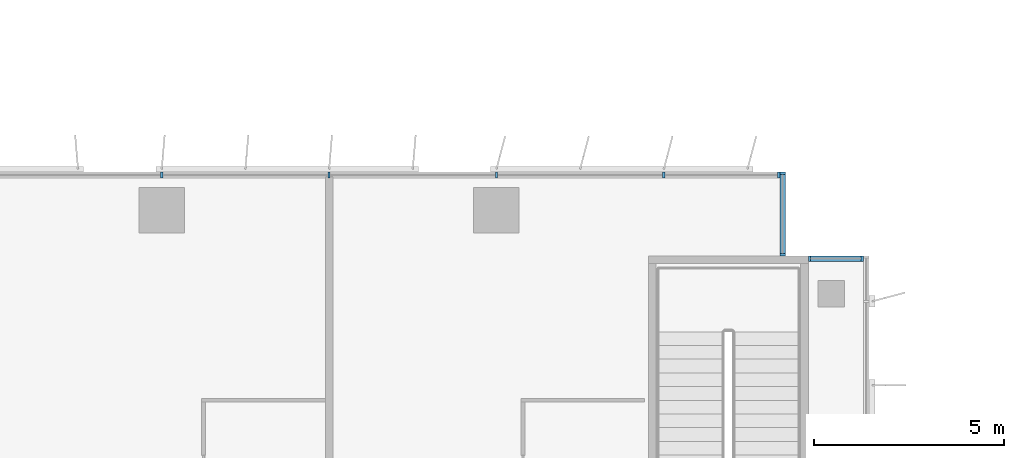
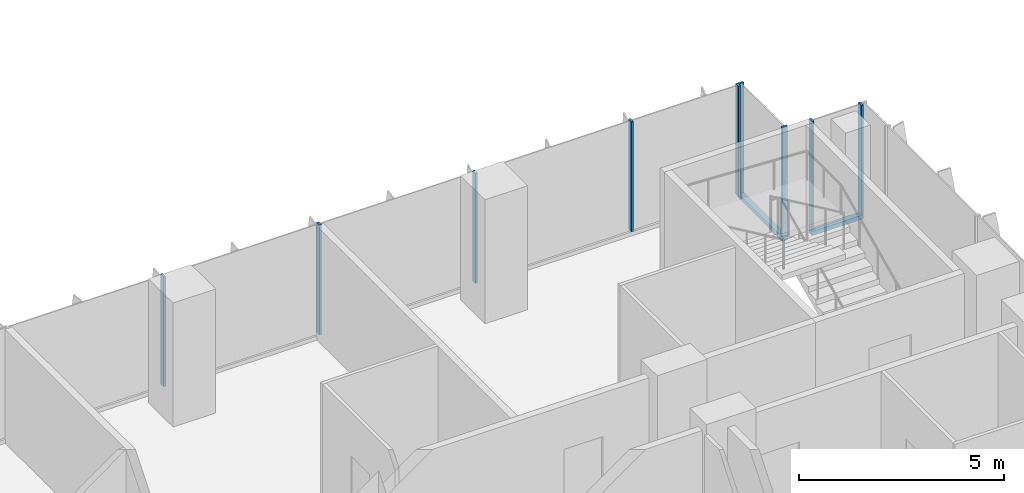
# One storey, part 4 of 22: 11 members, 3 elements without a shape of their own.
"""IFC4 building model written with IfcOpenShell, lengths in metres."""

from ifc_helpers import new_model, si_unit, direction, frame, origin, origin_2d, place, context, subcontext, project, spatial, rectangle, extrude, source, transform, mapped, material, material_profile, profile_set, type_object, element, aggregate, save


model = new_model("IFC4")

# Units and contexts
model_context = context("Model", 3, precision=1e-05, world=origin(), true_north=direction((0.0, 1.0)))
body_context = subcontext(model_context, "Body", "Model", "MODEL_VIEW")
ifc_project = project(units=[si_unit("LENGTHUNIT", "METRE"), si_unit("AREAUNIT", "SQUARE_METRE"), si_unit("VOLUMEUNIT", "CUBIC_METRE"), si_unit("PLANEANGLEUNIT", "RADIAN"), si_unit("MASSUNIT", "GRAM", prefix="KILO")], contexts=[model_context])

# Site, building, storey
site_placement = place(None, origin())
site = spatial("IfcSite", under=ifc_project, at=site_placement, CompositionType="ELEMENT")
building_placement = place(site_placement, origin())
building = spatial("IfcBuilding", under=site, at=building_placement, Name="Kemantara Hotel Tower", CompositionType="ELEMENT")
storey_placement = place(building_placement, frame((0.0, 0.0, 87.10009765625)))
storey = spatial("IfcBuildingStorey", under=building, at=storey_placement, Name="L20", CompositionType="ELEMENT", Elevation=87.10009765625)

# Curtain wall, member
ifc_material_1 = material(Name="Low-E tinted double insulated glass 36 mm", Category="glass")
curtain_wall_type = type_object("IfcCurtainWallType", Name="TOWER CURTAIN WALL, FRONT FACES", PredefinedType="USERDEFINED", material=ifc_material_1)
curtain_wall_1_placement = place(storey_placement, origin())
curtain_wall_1 = element("IfcCurtainWall", 1, at=curtain_wall_1_placement, inside=storey, type_object=curtain_wall_type, Name="CW4 L20 T2-R11-1", ObjectType="TOWER CURTAIN WALL, FRONT FACES", PredefinedType="USERDEFINED")
ifc_material_2 = material(Name="Aluminium 6063-T6 bronze anodised", Category="aluminium")
ifc_material_profile_1 = material_profile(ifc_material_2, rectangle(XDim=0.14990234375, YDim=0.1201171875, at=origin_2d()), Name="TOWER CURTAIN WALL, FRONT FACES TRANSOM")
ifc_profile_set_1 = profile_set([ifc_material_profile_1], Name="Aluminium 6063-T6 bronze anodised")
member_type_1 = type_object("IfcMemberType", Name="TOWER CURTAIN WALL, FRONT FACES TRANSOM", PredefinedType="USERDEFINED", material=ifc_profile_set_1)
member_1_placement = place(storey_placement, frame((63.449951171875, 19.72509765625, 0.059814453125), z_axis=(-1.0, 0.0, 0.0), x_axis=(0.0, -1.0, 0.0)))
member_1 = element("IfcMember", 2, at=member_1_placement, type_object=member_type_1, Name="CW4 sill transom T2-R11-1", ObjectType="TRANSOM", PredefinedType="USERDEFINED", context=body_context, shape_type="SweptSolid", body=[
    extrude(rectangle(XDim=0.14990234375, YDim=0.1201171875, at=origin_2d()), origin(), (0.0, 0.0, 1.0), 1.449951171875),
])

curtain_wall_2_placement = place(storey_placement, origin())
curtain_wall_2 = element("IfcCurtainWall", 3, at=curtain_wall_2_placement, inside=storey, type_object=curtain_wall_type, Name="CW4 L20 T2-R12-1", ObjectType="TOWER CURTAIN WALL, FRONT FACES", PredefinedType="USERDEFINED")
member_2_placement = place(storey_placement, frame((61.324951171875, 19.800048828125, 0.059814453125), z_axis=(0.0, 1.0, 0.0), x_axis=(-1.0, 0.0, 0.0)))
member_2 = element("IfcMember", 4, at=member_2_placement, type_object=member_type_1, Name="CW4 sill transom T2-R12-1", ObjectType="TRANSOM", PredefinedType="USERDEFINED", context=body_context, shape_type="SweptSolid", body=[
    extrude(rectangle(XDim=0.14990234375, YDim=0.1201171875, at=origin_2d()), origin(), (0.0, 0.0, 1.0), 2.199951171875),
])

# Curtain wall, members
curtain_wall_3_placement = place(storey_placement, origin())
curtain_wall_3 = element("IfcCurtainWall", 5, at=curtain_wall_3_placement, inside=storey, type_object=curtain_wall_type, Name="CW4 L20 T2-R13-1", ObjectType="TOWER CURTAIN WALL, FRONT FACES", PredefinedType="USERDEFINED")
ifc_material_profile_2 = material_profile(ifc_material_2, rectangle(XDim=0.14990234375, YDim=0.06005859375, at=origin_2d()), Name="TOWER CURTAIN WALL, FRONT FACES MULLION")
ifc_profile_set_2 = profile_set([ifc_material_profile_2], Name="Aluminium 6063-T6 bronze anodised")
member_type_2 = type_object("IfcMemberType", Name="TOWER CURTAIN WALL, FRONT FACES MULLION", PredefinedType="MULLION", material=ifc_profile_set_2)
shared_shape = source(origin(), body_context, "Body", "SweptSolid", [
    extrude(rectangle(XDim=0.14990234375, YDim=0.06005859375, at=origin_2d()), origin(), (0.0, 0.0, 1.0), 3.280029296875),
])
member_3_placement = place(storey_placement, frame((61.219970703125, 21.925048828125, 0.119873046875), z_axis=(0.0, 0.0, 1.0), x_axis=(0.0, -1.0, 0.0)))
member_3 = element("IfcMember", 6, at=member_3_placement, type_object=member_type_2, Name="CW4 mullion T2-R13-1.1", PredefinedType="MULLION", context=body_context, shape_type="MappedRepresentation", body=[
    mapped(shared_shape, transform((0.0, 0.0, 0.0))),
])
member_4_placement = place(storey_placement, frame((58.199951171875, 21.925048828125, 0.119873046875), z_axis=(0.0, 0.0, 1.0), x_axis=(0.0, -1.0, 0.0)))
member_4 = element("IfcMember", 7, at=member_4_placement, type_object=member_type_2, Name="CW4 mullion T2-R13-1.2", PredefinedType="MULLION", context=body_context, shape_type="MappedRepresentation", body=[
    mapped(shared_shape, transform((0.0, 0.0, 0.0))),
])
member_5_placement = place(storey_placement, frame((53.800048828125, 21.925048828125, 0.119873046875), z_axis=(0.0, 0.0, 1.0), x_axis=(0.0, -1.0, 0.0)))
member_5 = element("IfcMember", 8, at=member_5_placement, type_object=member_type_2, Name="CW4 mullion T2-R13-1.3", PredefinedType="MULLION", context=body_context, shape_type="MappedRepresentation", body=[
    mapped(shared_shape, transform((0.0, 0.0, 0.0))),
])
member_6_placement = place(storey_placement, frame((49.39990234375, 21.925048828125, 0.119873046875), z_axis=(0.0, 0.0, 1.0), x_axis=(0.0, -1.0, 0.0)))
member_6 = element("IfcMember", 9, at=member_6_placement, type_object=member_type_2, Name="CW4 mullion T2-R13-1.4", PredefinedType="MULLION", context=body_context, shape_type="MappedRepresentation", body=[
    mapped(shared_shape, transform((0.0, 0.0, 0.0))),
])
member_7_placement = place(storey_placement, frame((45.0, 21.925048828125, 0.119873046875), z_axis=(0.0, 0.0, 1.0), x_axis=(0.0, -1.0, 0.0)))
member_7 = element("IfcMember", 10, at=member_7_placement, type_object=member_type_2, Name="CW4 mullion T2-R13-1.5", PredefinedType="MULLION", context=body_context, shape_type="MappedRepresentation", body=[
    mapped(shared_shape, transform((0.0, 0.0, 0.0))),
])
aggregate(curtain_wall_3, [member_3, member_4, member_5, member_6, member_7])

# Member
member_8_placement = place(storey_placement, frame((63.419921875, 19.72509765625, 0.119873046875), z_axis=(0.0, 0.0, 1.0), x_axis=(0.0, -1.0, 0.0)))
member_8 = element("IfcMember", 11, at=member_8_placement, type_object=member_type_2, Name="CW4 mullion T2-R11-1.1", PredefinedType="MULLION", context=body_context, shape_type="MappedRepresentation", body=[
    mapped(shared_shape, transform((0.0, 0.0, 0.0))),
])

member_9_placement = place(storey_placement, frame((62.030029296875, 19.72509765625, 0.119873046875), z_axis=(0.0, 0.0, 1.0), x_axis=(0.0, -1.0, 0.0)))
member_9 = element("IfcMember", 12, at=member_9_placement, type_object=member_type_2, Name="CW4 mullion T2-R11-1.2", PredefinedType="MULLION", context=body_context, shape_type="MappedRepresentation", body=[
    mapped(shared_shape, transform((0.0, 0.0, 0.0))),
])

aggregate(curtain_wall_1, [member_1, member_8, member_9])

member_10_placement = place(storey_placement, frame((61.324951171875, 19.830078125, 0.119873046875), z_axis=(0.0, 0.0, 1.0), x_axis=(-1.0, 0.0, 0.0)))
member_10 = element("IfcMember", 13, at=member_10_placement, type_object=member_type_2, Name="CW4 mullion T2-R12-1.1", PredefinedType="MULLION", context=body_context, shape_type="MappedRepresentation", body=[
    mapped(shared_shape, transform((0.0, 0.0, 0.0))),
])

member_11_placement = place(storey_placement, frame((61.324951171875, 21.969970703125, 0.119873046875), z_axis=(0.0, 0.0, 1.0), x_axis=(-1.0, 0.0, 0.0)))
member_11 = element("IfcMember", 14, at=member_11_placement, type_object=member_type_2, Name="CW4 mullion T2-R12-1.2", PredefinedType="MULLION", context=body_context, shape_type="MappedRepresentation", body=[
    mapped(shared_shape, transform((0.0, 0.0, 0.0))),
])

aggregate(curtain_wall_2, [member_2, member_10, member_11])

save(model, "model.ifc")
